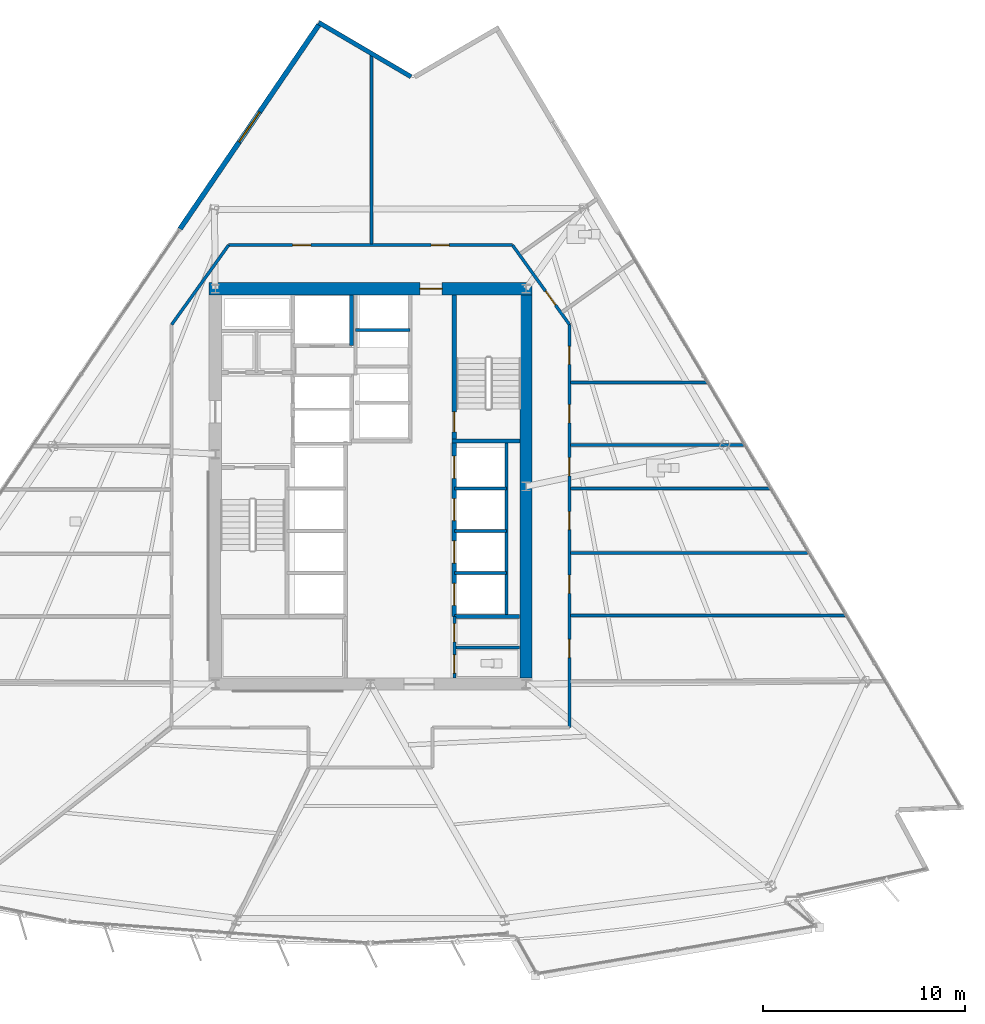
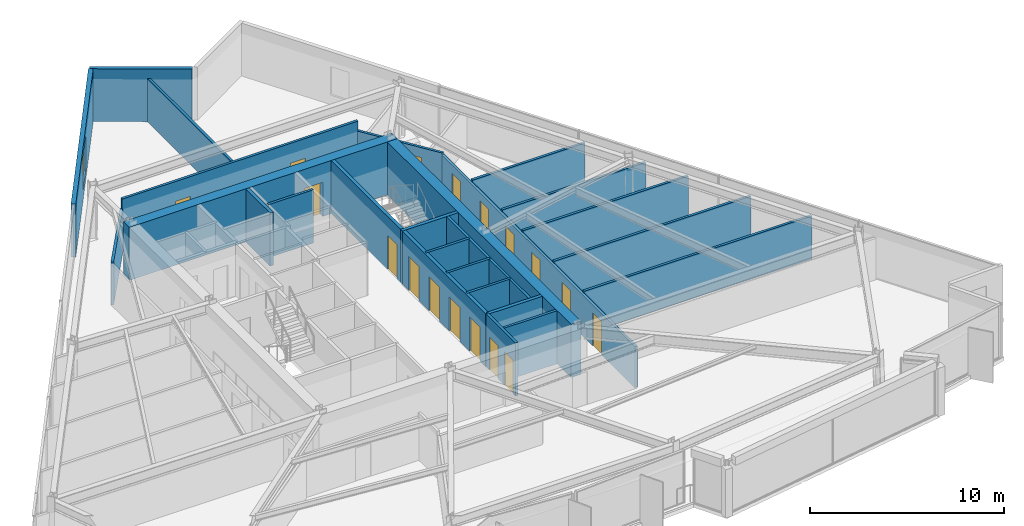
# One storey, part 9 of 16: 26 walls, 17 doors, 1 window, 18 openings.
"""IFC4 building model written with IfcOpenShell, lengths in metres."""

from ifc_helpers import new_model, si_unit, direction, frame, frame_2d, origin, place, context, subcontext, project, spatial, rectangle, extrude, material, layer, layer_set, type_object, element, fill, save


model = new_model("IFC4")

# Units and contexts
model_context = context("Model", 3, precision=1e-05, world=origin(), true_north=direction((0.0, 1.0)))
body_context = subcontext(model_context, "Body", "Model", "MODEL_VIEW")
ifc_project = project(units=[si_unit("LENGTHUNIT", "METRE"), si_unit("AREAUNIT", "SQUARE_METRE"), si_unit("VOLUMEUNIT", "CUBIC_METRE"), si_unit("PLANEANGLEUNIT", "RADIAN"), si_unit("MASSUNIT", "GRAM", prefix="KILO")], contexts=[model_context])

# Site, building, storey
site_placement = place(None, origin())
site = spatial("IfcSite", under=ifc_project, at=site_placement, CompositionType="ELEMENT")
building_placement = place(site_placement, origin())
building = spatial("IfcBuilding", under=site, at=building_placement, Name="Savorim Split Tower", CompositionType="ELEMENT")
storey_placement = place(building_placement, frame((0.0, 0.0, 51.60009765625)))
storey = spatial("IfcBuildingStorey", under=building, at=storey_placement, Name="L13", CompositionType="ELEMENT", Elevation=51.60009765625)

# Wall, opening, door
ifc_material_1 = material(Name="Concrete C60/75", Category="concrete")
ifc_layer_1 = layer(ifc_material_1, 0.60009765625)
ifc_layer_set_1 = layer_set([ifc_layer_1], Name="WAL-COR-SH600")
wall_type_1 = type_object("IfcWallType", Name="WAL-COR-SH600", PredefinedType="SHEAR", material=ifc_layer_set_1)
wall_1_placement = place(storey_placement, frame((8.0, 10.199951171875, 0.0), z_axis=(0.0, 0.0, 1.0), x_axis=(-1.0, 0.0, 0.0)))
wall_1 = element("IfcWall", 1, at=wall_1_placement, inside=storey, type_object=wall_type_1, Name="L13 Offset Core North Shear Wall", PredefinedType="SHEAR", context=body_context, shape_type="SweptSolid", body=[
    extrude(rectangle(XDim=16.0, YDim=0.60009765625, at=frame_2d((8.0, 0.0))), origin(), (0.0, 0.0, 1.0), 3.349853515625),
])
opening_1_placement = place(wall_1_placement, frame((4.449951171875, 0.0, 0.0)))
opening_1 = element("IfcOpeningElement", 2, at=opening_1_placement, cuts=wall_1, Name="Opening DI-03", PredefinedType="OPENING", context=body_context, shape_type="SweptSolid", body=[
    extrude(rectangle(XDim=1.10009765625, YDim=2.14990234375, at=frame_2d((0.550048828125, 1.074951171875))), frame((0.0, 0.31005859375, 0.0), z_axis=(0.0, -1.0, 0.0), x_axis=(1.0, 0.0, 0.0)), (0.0, 0.0, 1.0), 0.6201171875),
])
ifc_material_2 = material(Name="Timber Fire Door Leaf", Category="wood")
door_type_1 = type_object("IfcDoorType", Name="DOR-FIR-1100", OperationType="NOTDEFINED", PredefinedType="DOOR", material=ifc_material_2)
door_1_placement = place(opening_1_placement, origin())
door_1 = element("IfcDoor", 3, at=door_1_placement, inside=storey, type_object=door_type_1, Name="DOR-L13-COR-NLOB - L13 North Corridor Lobby Fire Door", OperationType="SINGLE_SWING_RIGHT", OverallHeight=2.14990234375, OverallWidth=1.10009765625, PredefinedType="DOOR", context=body_context, shape_type="SweptSolid", body=[
    extrude(rectangle(XDim=1.10009765625, YDim=2.14990234375, at=frame_2d((0.550048828125, 1.074951171875))), frame((0.0, 0.02490234375, 0.0), z_axis=(0.0, -1.0, 0.0), x_axis=(1.0, 0.0, 0.0)), (0.0, 0.0, 1.0), 0.050048828125),
])
fill(opening_1, door_1)

# Walls
wall_2_placement = place(storey_placement, frame((7.699951171875, 9.89990234375, 0.0), z_axis=(0.0, 0.0, 1.0), x_axis=(0.0, -1.0, 0.0)))
element("IfcWall", 4, at=wall_2_placement, inside=storey, type_object=wall_type_1, Name="L13 Offset Core East Shear Wall", PredefinedType="SHEAR", context=body_context, shape_type="SweptSolid", body=[
    extrude(rectangle(XDim=19.0, YDim=0.60009765625, at=frame_2d((9.5, 0.0))), origin(), (0.0, 0.0, 1.0), 3.349853515625),
])
ifc_material_3 = material(Name="Precast concrete C40/50", Category="concrete")
ifc_layer_2 = layer(ifc_material_3, 0.219970703125)
ifc_layer_set_2 = layer_set([ifc_layer_2], Name="WAL-EXT-CRN220")
wall_type_2 = type_object("IfcWallType", Name="WAL-EXT-CRN220", PredefinedType="SOLIDWALL", material=ifc_layer_set_2)
wall_3_placement = place(storey_placement, frame((-2.572265625, 23.40283203125, 0.0), z_axis=(0.0, 0.0, 1.0), x_axis=(0.862137551275, -0.506674296449, 0.0)))
element("IfcWall", 5, at=wall_3_placement, inside=storey, type_object=wall_type_2, Name="L13 Notched Corner Facade Wall N", PredefinedType="SOLIDWALL", context=body_context, shape_type="SweptSolid", body=[
    extrude(rectangle(XDim=5.30712890625, YDim=0.219970703125, at=frame_2d((2.653564453125, 0.0))), origin(), (0.0, 0.0, 1.0), 3.349853515625),
])

# Wall, opening, window
ifc_layer_3 = layer(ifc_material_3, 0.25)
ifc_layer_set_3 = layer_set([ifc_layer_3], Name="WAL-EXT-SPN250")
wall_type_3 = type_object("IfcWallType", Name="WAL-EXT-SPN250", PredefinedType="SOLIDWALL", material=ifc_layer_set_3)
wall_4_placement = place(storey_placement, frame((-9.45068359375, 13.163330078125, 0.0), z_axis=(0.0, 0.0, 1.0), x_axis=(0.562478152622, 0.826812147844, 0.0)))
wall_4 = element("IfcWall", 6, at=wall_4_placement, inside=storey, type_object=wall_type_3, Name="L13 West Operable Window Pier", PredefinedType="SOLIDWALL", context=body_context, shape_type="SweptSolid", body=[
    extrude(rectangle(XDim=12.232177734375, YDim=0.25, at=frame_2d((6.1162109375, 0.0))), origin(), (0.0, 0.0, 1.0), 3.349853515625),
])
opening_2_placement = place(wall_4_placement, frame((5.216064453125, 0.0, 0.6201171875)))
opening_2 = element("IfcOpeningElement", 7, at=opening_2_placement, cuts=wall_4, Name="Opening WN-04", PredefinedType="OPENING", context=body_context, shape_type="SweptSolid", body=[
    extrude(rectangle(XDim=1.800048828125, YDim=2.10009765625, at=frame_2d((0.89990234375, 1.050048828125))), frame((0.0, 0.135009765625, 0.0), z_axis=(0.0, -1.0, 0.0), x_axis=(1.0, 0.0, 0.0)), (0.0, 0.0, 1.0), 0.27001953125),
])
ifc_material_4 = material(Name="Low-E Operable Double Glazing", Category="glass")
window_type = type_object("IfcWindowType", Name="WIN-TWR-1800x2100", PartitioningType="DOUBLE_PANEL_VERTICAL", PredefinedType="WINDOW", material=ifc_material_4)
window_placement = place(opening_2_placement, origin())
window = element("IfcWindow", 8, at=window_placement, inside=storey, type_object=window_type, Name="L13 West Operable Ventilation Window", OverallHeight=2.10009765625, OverallWidth=1.800048828125, PartitioningType="SINGLE_PANEL", PredefinedType="WINDOW", context=body_context, shape_type="SweptSolid", body=[
    extrude(rectangle(XDim=1.800048828125, YDim=2.10009765625, at=frame_2d((0.89990234375, 1.050048828125))), frame((0.0, 0.030029296875, 0.0), z_axis=(0.0, -1.0, 0.0), x_axis=(1.0, 0.0, 0.0)), (0.0, 0.0, 1.0), 0.06005859375),
])
fill(opening_2, window)

# Wall, opening, door
ifc_material_5 = material(Name="Concrete C50/60", Category="concrete")
ifc_layer_4 = layer(ifc_material_5, 0.199951171875)
ifc_layer_set_4 = layer_set([ifc_layer_4], Name="WAL-INT-RC200")
wall_type_4 = type_object("IfcWallType", Name="WAL-INT-RC200", PredefinedType="SOLIDWALL", material=ifc_layer_set_4)
wall_5_placement = place(storey_placement, frame((4.14990234375, 2.75, 0.0), z_axis=(0.0, 0.0, 1.0), x_axis=(0.0, 1.0, 0.0)))
wall_5 = element("IfcWall", 9, at=wall_5_placement, inside=storey, type_object=wall_type_4, Name="L13 Structural Shaft Wall W-L13-CR07", PredefinedType="SOLIDWALL", context=body_context, shape_type="SweptSolid", body=[
    extrude(rectangle(XDim=7.14990234375, YDim=0.199951171875, at=frame_2d((3.574951171875, 0.0))), origin(), (0.0, 0.0, 1.0), 3.349853515625),
])
opening_3_placement = place(wall_5_placement, frame((0.35009765625, 0.0, 0.0)))
opening_3 = element("IfcOpeningElement", 10, at=opening_3_placement, cuts=wall_5, Name="Opening DI-04", PredefinedType="OPENING", context=body_context, shape_type="SweptSolid", body=[
    extrude(rectangle(XDim=1.0, YDim=2.14990234375, at=frame_2d((0.5, 1.074951171875))), frame((0.0, 0.10986328125, 0.0), z_axis=(0.0, -1.0, 0.0), x_axis=(1.0, 0.0, 0.0)), (0.0, 0.0, 1.0), 0.219970703125),
])
door_type_2 = type_object("IfcDoorType", Name="DOR-FIR-1000", OperationType="NOTDEFINED", PredefinedType="DOOR", material=ifc_material_2)
door_2_placement = place(opening_3_placement, origin())
door_2 = element("IfcDoor", 11, at=door_2_placement, inside=storey, type_object=door_type_2, Name="DR-L13-ST2 - L13 Stair ST-2 Enclosure Door", OperationType="SINGLE_SWING_RIGHT", OverallHeight=2.14990234375, OverallWidth=1.0, PredefinedType="DOOR", context=body_context, shape_type="SweptSolid", body=[
    extrude(rectangle(XDim=1.0, YDim=2.14990234375, at=frame_2d((0.5, 1.074951171875))), frame((0.0, 0.02490234375, 0.0), z_axis=(0.0, -1.0, 0.0), x_axis=(1.0, 0.0, 0.0)), (0.0, 0.0, 1.0), 0.050048828125),
])
fill(opening_3, door_2)

# Walls
wall_6_placement = place(storey_placement, frame((4.050048828125, 2.64990234375, 0.0), z_axis=(0.0, 0.0, 1.0), x_axis=(1.0, 0.0, 0.0)))
element("IfcWall", 12, at=wall_6_placement, inside=storey, type_object=wall_type_4, Name="L13 Structural Shaft Wall W-L13-CR08", PredefinedType="SOLIDWALL", context=body_context, shape_type="SweptSolid", body=[
    extrude(rectangle(XDim=3.349853515625, YDim=0.199951171875, at=frame_2d((1.6748046875, 0.0))), origin(), (0.0, 0.0, 1.0), 3.349853515625),
])
wall_7_placement = place(storey_placement, frame((-0.949951171875, 7.3798828125, 0.0), z_axis=(0.0, 0.0, 1.0), x_axis=(0.0, 1.0, 0.0)))
element("IfcWall", 13, at=wall_7_placement, inside=storey, type_object=wall_type_4, Name="L13 Partition W-L13-SVLE", PredefinedType="SOLIDWALL", context=body_context, shape_type="SweptSolid", body=[
    extrude(rectangle(XDim=2.51513671875, YDim=0.199951171875, at=frame_2d((1.257568359375, 0.0))), origin(), (0.0, 0.0, 1.0), 3.349853515625),
])

# Wall, openings, doors
wall_8_placement = place(storey_placement, frame((4.14990234375, -6.050048828125, 0.0), z_axis=(0.0, 0.0, 1.0), x_axis=(0.0, 1.0, 0.0)))
wall_8 = element("IfcWall", 14, at=wall_8_placement, inside=storey, type_object=wall_type_4, Name="L13 Partition W-L13-B1FRONT", PredefinedType="SOLIDWALL", context=body_context, shape_type="SweptSolid", body=[
    extrude(rectangle(XDim=8.699951171875, YDim=0.199951171875, at=frame_2d((4.35009765625, 0.0))), origin(), (0.0, 0.0, 1.0), 3.349853515625),
])
opening_4_placement = place(wall_8_placement, frame((0.550048828125, 0.0, 0.0)))
opening_4 = element("IfcOpeningElement", 15, at=opening_4_placement, cuts=wall_8, Name="Opening LD-01", PredefinedType="OPENING", context=body_context, shape_type="SweptSolid", body=[
    extrude(rectangle(XDim=1.10009765625, YDim=2.14990234375, at=frame_2d((0.550048828125, 1.074951171875))), frame((0.0, 0.10986328125, 0.0), z_axis=(0.0, -1.0, 0.0), x_axis=(1.0, 0.0, 0.0)), (0.0, 0.0, 1.0), 0.219970703125),
])
opening_5_placement = place(wall_8_placement, frame((2.64990234375, 0.0, 0.0)))
opening_5 = element("IfcOpeningElement", 16, at=opening_5_placement, cuts=wall_8, Name="Opening LD-01", PredefinedType="OPENING", context=body_context, shape_type="SweptSolid", body=[
    extrude(rectangle(XDim=1.10009765625, YDim=2.14990234375, at=frame_2d((0.550048828125, 1.074951171875))), frame((0.0, 0.10986328125, 0.0), z_axis=(0.0, -1.0, 0.0), x_axis=(1.0, 0.0, 0.0)), (0.0, 0.0, 1.0), 0.219970703125),
])
opening_6_placement = place(wall_8_placement, frame((4.75, 0.0, 0.0)))
opening_6 = element("IfcOpeningElement", 17, at=opening_6_placement, cuts=wall_8, Name="Opening LD-01", PredefinedType="OPENING", context=body_context, shape_type="SweptSolid", body=[
    extrude(rectangle(XDim=1.10009765625, YDim=2.14990234375, at=frame_2d((0.550048828125, 1.074951171875))), frame((0.0, 0.10986328125, 0.0), z_axis=(0.0, -1.0, 0.0), x_axis=(1.0, 0.0, 0.0)), (0.0, 0.0, 1.0), 0.219970703125),
])
opening_7_placement = place(wall_8_placement, frame((6.85009765625, 0.0, 0.0)))
opening_7 = element("IfcOpeningElement", 18, at=opening_7_placement, cuts=wall_8, Name="Opening LD-01", PredefinedType="OPENING", context=body_context, shape_type="SweptSolid", body=[
    extrude(rectangle(XDim=1.10009765625, YDim=2.14990234375, at=frame_2d((0.550048828125, 1.074951171875))), frame((0.0, 0.10986328125, 0.0), z_axis=(0.0, -1.0, 0.0), x_axis=(1.0, 0.0, 0.0)), (0.0, 0.0, 1.0), 0.219970703125),
])
ifc_material_6 = material(Name="Charcoal Anodised Aluminium", Category="aluminium")
door_type_3 = type_object("IfcDoorType", Name="DOR-SLD-LD1100", OperationType="NOTDEFINED", PredefinedType="DOOR", material=ifc_material_6)
door_3_placement = place(opening_4_placement, origin())
door_3 = element("IfcDoor", 19, at=door_3_placement, inside=storey, type_object=door_type_3, Name="DR-L13-LD-PLL1 - L13 Lift PL-L1 Sliding Landing Door", OperationType="DOUBLE_DOOR_SLIDING", OverallHeight=2.14990234375, OverallWidth=1.10009765625, PredefinedType="DOOR", context=body_context, shape_type="SweptSolid", body=[
    extrude(rectangle(XDim=1.10009765625, YDim=2.14990234375, at=frame_2d((0.550048828125, 1.074951171875))), frame((0.0, 0.02490234375, 0.0), z_axis=(0.0, -1.0, 0.0), x_axis=(1.0, 0.0, 0.0)), (0.0, 0.0, 1.0), 0.050048828125),
])
fill(opening_4, door_3)
door_4_placement = place(opening_5_placement, origin())
door_4 = element("IfcDoor", 20, at=door_4_placement, inside=storey, type_object=door_type_3, Name="DR-L13-LD-PLL2 - L13 Lift PL-L2 Sliding Landing Door", OperationType="DOUBLE_DOOR_SLIDING", OverallHeight=2.14990234375, OverallWidth=1.10009765625, PredefinedType="DOOR", context=body_context, shape_type="SweptSolid", body=[
    extrude(rectangle(XDim=1.10009765625, YDim=2.14990234375, at=frame_2d((0.550048828125, 1.074951171875))), frame((0.0, 0.02490234375, 0.0), z_axis=(0.0, -1.0, 0.0), x_axis=(1.0, 0.0, 0.0)), (0.0, 0.0, 1.0), 0.050048828125),
])
fill(opening_5, door_4)
door_5_placement = place(opening_6_placement, origin())
door_5 = element("IfcDoor", 21, at=door_5_placement, inside=storey, type_object=door_type_3, Name="DR-L13-LD-PLL3 - L13 Lift PL-L3 Sliding Landing Door", OperationType="DOUBLE_DOOR_SLIDING", OverallHeight=2.14990234375, OverallWidth=1.10009765625, PredefinedType="DOOR", context=body_context, shape_type="SweptSolid", body=[
    extrude(rectangle(XDim=1.10009765625, YDim=2.14990234375, at=frame_2d((0.550048828125, 1.074951171875))), frame((0.0, 0.02490234375, 0.0), z_axis=(0.0, -1.0, 0.0), x_axis=(1.0, 0.0, 0.0)), (0.0, 0.0, 1.0), 0.050048828125),
])
fill(opening_6, door_5)
door_6_placement = place(opening_7_placement, origin())
door_6 = element("IfcDoor", 22, at=door_6_placement, inside=storey, type_object=door_type_3, Name="DR-L13-LD-PLL4 - L13 Lift PL-L4 Sliding Landing Door", OperationType="DOUBLE_DOOR_SLIDING", OverallHeight=2.14990234375, OverallWidth=1.10009765625, PredefinedType="DOOR", context=body_context, shape_type="SweptSolid", body=[
    extrude(rectangle(XDim=1.10009765625, YDim=2.14990234375, at=frame_2d((0.550048828125, 1.074951171875))), frame((0.0, 0.02490234375, 0.0), z_axis=(0.0, -1.0, 0.0), x_axis=(1.0, 0.0, 0.0)), (0.0, 0.0, 1.0), 0.050048828125),
])
fill(opening_7, door_6)

# Walls
wall_9_placement = place(storey_placement, frame((4.14990234375, -6.050048828125, 0.0), z_axis=(0.0, 0.0, 1.0), x_axis=(1.0, 0.0, 0.0)))
element("IfcWall", 23, at=wall_9_placement, inside=storey, type_object=wall_type_4, Name="L13 Partition W-L13-KSEP-E", PredefinedType="SOLIDWALL", context=body_context, shape_type="SweptSolid", body=[
    extrude(rectangle(XDim=3.2451171875, YDim=0.199951171875, at=frame_2d((1.62255859375, 0.0))), origin(), (0.0, 0.0, 1.0), 3.349853515625),
])
ifc_material_7 = material(Name="Acoustic Gypsum Partition Board")
ifc_layer_5 = layer(ifc_material_7, 0.14990234375)
ifc_layer_set_5 = layer_set([ifc_layer_5], Name="WAL-PAR-150")
wall_type_5 = type_object("IfcWallType", Name="WAL-PAR-150", PredefinedType="PARTITIONING", material=ifc_layer_set_5)
wall_10_placement = place(storey_placement, frame((6.75, -6.050048828125, 0.0), z_axis=(0.0, 0.0, 1.0), x_axis=(0.0, 1.0, 0.0)))
element("IfcWall", 24, at=wall_10_placement, inside=storey, type_object=wall_type_5, Name="L13 Partition W-L13-B1BACK", PredefinedType="PARTITIONING", context=body_context, shape_type="SweptSolid", body=[
    extrude(rectangle(XDim=8.699951171875, YDim=0.14990234375, at=frame_2d((4.35009765625, 0.0))), origin(), (0.0, 0.0, 1.0), 3.349853515625),
])
for number, where, z_axis, x_axis, name in (
    (25, (4.14990234375, -3.89990234375, 0.0), (0.0, 0.0, 1.0), (1.0, 0.0, 0.0), "L13 Partition W-L13-B1DIV1"),
    (26, (4.14990234375, -1.800048828125, 0.0), (0.0, 0.0, 1.0), (1.0, 0.0, 0.0), "L13 Partition W-L13-B1DIV2"),
    (27, (4.14990234375, 0.300048828125, 0.0), (0.0, 0.0, 1.0), (1.0, 0.0, 0.0), "L13 Partition W-L13-B1DIV3"),
):
    element("IfcWall", number, at=place(storey_placement, frame(where, z_axis=z_axis, x_axis=x_axis)), inside=storey, type_object=wall_type_5, Name=name, PredefinedType="PARTITIONING", context=body_context, shape_type="SweptSolid", body=[
        extrude(rectangle(XDim=2.60009765625, YDim=0.14990234375, at=frame_2d((1.300048828125, 0.0))), origin(), (0.0, 0.0, 1.0), 3.349853515625),
    ])
wall_11_placement = place(storey_placement, frame((-0.75, 8.14990234375, 0.0), z_axis=(0.0, 0.0, 1.0), x_axis=(1.0, 0.0, 0.0)))
element("IfcWall", 28, at=wall_11_placement, inside=storey, type_object=wall_type_5, Name="L13 Partition W-L13-B3DIV3", PredefinedType="PARTITIONING", context=body_context, shape_type="SweptSolid", body=[
    extrude(rectangle(XDim=2.699951171875, YDim=0.14990234375, at=frame_2d((1.35009765625, 0.0))), origin(), (0.0, 0.0, 1.0), 3.349853515625),
])

# Wall, openings, doors
wall_12_placement = place(storey_placement, frame((4.14990234375, -9.094970703125, 0.0), z_axis=(0.0, 0.0, 1.0), x_axis=(0.0, 1.0, 0.0)))
wall_12 = element("IfcWall", 29, at=wall_12_placement, inside=storey, type_object=wall_type_5, Name="L13 Partition W-L13-KLOB-E", PredefinedType="PARTITIONING", context=body_context, shape_type="SweptSolid", body=[
    extrude(rectangle(XDim=3.044921875, YDim=0.14990234375, at=frame_2d((1.5224609375, 0.0))), origin(), (0.0, 0.0, 1.0), 3.349853515625),
])
opening_8_placement = place(wall_12_placement, frame((0.2451171875, 0.0, 0.0)))
opening_8 = element("IfcOpeningElement", 30, at=opening_8_placement, cuts=wall_12, Name="Opening DI-11", PredefinedType="OPENING", context=body_context, shape_type="SweptSolid", body=[
    extrude(rectangle(XDim=0.89990234375, YDim=2.10009765625, at=frame_2d((0.449951171875, 1.050048828125))), frame((0.0, 0.0849609375, 0.0), z_axis=(0.0, -1.0, 0.0), x_axis=(1.0, 0.0, 0.0)), (0.0, 0.0, 1.0), 0.169921875),
])
opening_9_placement = place(wall_12_placement, frame((1.794921875, 0.0, 0.0)))
opening_9 = element("IfcOpeningElement", 31, at=opening_9_placement, cuts=wall_12, Name="Opening DI-06", PredefinedType="OPENING", context=body_context, shape_type="SweptSolid", body=[
    extrude(rectangle(XDim=0.89990234375, YDim=2.10009765625, at=frame_2d((0.449951171875, 1.050048828125))), frame((0.0, 0.0849609375, 0.0), z_axis=(0.0, -1.0, 0.0), x_axis=(1.0, 0.0, 0.0)), (0.0, 0.0, 1.0), 0.169921875),
])
door_type_4 = type_object("IfcDoorType", Name="DOR-FIR-900", OperationType="NOTDEFINED", PredefinedType="DOOR", material=ifc_material_2)
door_7_placement = place(opening_9_placement, origin())
door_7 = element("IfcDoor", 32, at=door_7_placement, inside=storey, type_object=door_type_4, Name="DR-L13-K3LCK - L13 Cleaning Store Door", OperationType="SINGLE_SWING_LEFT", OverallHeight=2.10009765625, OverallWidth=0.89990234375, PredefinedType="DOOR", context=body_context, shape_type="SweptSolid", body=[
    extrude(rectangle(XDim=0.89990234375, YDim=2.10009765625, at=frame_2d((0.449951171875, 1.050048828125))), frame((0.0, 0.02490234375, 0.0), z_axis=(0.0, -1.0, 0.0), x_axis=(1.0, 0.0, 0.0)), (0.0, 0.0, 1.0), 0.050048828125),
])
fill(opening_9, door_7)
ifc_material_8 = material(Name="Oak Veneer Acoustic Door")
door_type_5 = type_object("IfcDoorType", Name="DOR-WC-900", OperationType="NOTDEFINED", PredefinedType="DOOR", material=ifc_material_8)
door_8_placement = place(opening_8_placement, origin())
door_8 = element("IfcDoor", 33, at=door_8_placement, inside=storey, type_object=door_type_5, Name="DR-L13-K3AWC - L13 Core Accessible WC Door", OperationType="SINGLE_SWING_RIGHT", OverallHeight=2.10009765625, OverallWidth=0.89990234375, PredefinedType="DOOR", context=body_context, shape_type="SweptSolid", body=[
    extrude(rectangle(XDim=0.89990234375, YDim=2.10009765625, at=frame_2d((0.449951171875, 1.050048828125))), frame((0.0, 0.02490234375, 0.0), z_axis=(0.0, -1.0, 0.0), x_axis=(1.0, 0.0, 0.0)), (0.0, 0.0, 1.0), 0.050048828125),
])
fill(opening_8, door_8)

# Walls
wall_13_placement = place(storey_placement, frame((4.14990234375, -7.580078125, 0.0), z_axis=(0.0, 0.0, 1.0), x_axis=(1.0, 0.0, 0.0)))
element("IfcWall", 34, at=wall_13_placement, inside=storey, type_object=wall_type_5, Name="L13 Partition W-L13-K3H", PredefinedType="PARTITIONING", context=body_context, shape_type="SweptSolid", body=[
    extrude(rectangle(XDim=3.2451171875, YDim=0.14990234375, at=frame_2d((1.62255859375, 0.0))), origin(), (0.0, 0.0, 1.0), 3.349853515625),
])
wall_14_placement = place(storey_placement, frame((-9.860107421875, 8.42578125, 0.0), z_axis=(0.0, 0.0, 1.0), x_axis=(0.582449511476, 0.812866881218, 0.0)))
element("IfcWall", 35, at=wall_14_placement, inside=storey, type_object=wall_type_5, Name="L13 Partition W-L13-COR-02", PredefinedType="PARTITIONING", context=body_context, shape_type="SweptSolid", body=[
    extrude(rectangle(XDim=4.840087890625, YDim=0.14990234375, at=frame_2d((2.419921875, 0.0))), origin(), (0.0, 0.0, 1.0), 2.724853515625),
])

# Wall, openings, doors
wall_15_placement = place(storey_placement, frame((-7.041015625, 12.360107421875, 0.0), z_axis=(0.0, 0.0, 1.0), x_axis=(1.0, 0.0, 0.0)))
wall_15 = element("IfcWall", 36, at=wall_15_placement, inside=storey, type_object=wall_type_5, Name="L13 Partition W-L13-COR-03", PredefinedType="PARTITIONING", context=body_context, shape_type="SweptSolid", body=[
    extrude(rectangle(XDim=14.08203125, YDim=0.14990234375, at=frame_2d((7.041015625, 0.0))), origin(), (0.0, 0.0, 1.0), 3.349853515625),
])
opening_10_placement = place(wall_15_placement, frame((10.0419921875, 0.0, 0.0)))
opening_10 = element("IfcOpeningElement", 37, at=opening_10_placement, cuts=wall_15, Name="Opening DI-06", PredefinedType="OPENING", context=body_context, shape_type="SweptSolid", body=[
    extrude(rectangle(XDim=0.89990234375, YDim=2.10009765625, at=frame_2d((0.449951171875, 1.050048828125))), frame((0.0, 0.0849609375, 0.0), z_axis=(0.0, -1.0, 0.0), x_axis=(1.0, 0.0, 0.0)), (0.0, 0.0, 1.0), 0.169921875),
])
opening_11_placement = place(wall_15_placement, frame((3.17919921875, 0.0, 0.0)))
opening_11 = element("IfcOpeningElement", 38, at=opening_11_placement, cuts=wall_15, Name="Opening DI-06", PredefinedType="OPENING", context=body_context, shape_type="SweptSolid", body=[
    extrude(rectangle(XDim=0.89990234375, YDim=2.10009765625, at=frame_2d((0.449951171875, 1.050048828125))), frame((0.0, 0.0849609375, 0.0), z_axis=(0.0, -1.0, 0.0), x_axis=(1.0, 0.0, 0.0)), (0.0, 0.0, 1.0), 0.169921875),
])
door_9_placement = place(opening_10_placement, origin())
door_9 = element("IfcDoor", 39, at=door_9_placement, inside=storey, type_object=door_type_4, Name="DR-L13-RM14 - L13 Co-Working Commons Entry Door", OperationType="SINGLE_SWING_LEFT", OverallHeight=2.10009765625, OverallWidth=0.89990234375, PredefinedType="DOOR", context=body_context, shape_type="SweptSolid", body=[
    extrude(rectangle(XDim=0.89990234375, YDim=2.10009765625, at=frame_2d((0.449951171875, 1.050048828125))), frame((0.0, 0.02490234375, 0.0), z_axis=(0.0, -1.0, 0.0), x_axis=(1.0, 0.0, 0.0)), (0.0, 0.0, 1.0), 0.050048828125),
])
fill(opening_10, door_9)
door_10_placement = place(opening_11_placement, origin())
door_10 = element("IfcDoor", 40, at=door_10_placement, inside=storey, type_object=door_type_4, Name="DR-L13-RM15 - L13 Co-Working Commons Entry Door", OperationType="SINGLE_SWING_RIGHT", OverallHeight=2.10009765625, OverallWidth=0.89990234375, PredefinedType="DOOR", context=body_context, shape_type="SweptSolid", body=[
    extrude(rectangle(XDim=0.89990234375, YDim=2.10009765625, at=frame_2d((0.449951171875, 1.050048828125))), frame((0.0, 0.02490234375, 0.0), z_axis=(0.0, -1.0, 0.0), x_axis=(1.0, 0.0, 0.0)), (0.0, 0.0, 1.0), 0.050048828125),
])
fill(opening_11, door_10)

# Wall, opening, door
wall_16_placement = place(storey_placement, frame((7.041015625, 12.360107421875, 0.0), z_axis=(0.0, 0.0, 1.0), x_axis=(0.582449511476, -0.812866881218, 0.0)))
wall_16 = element("IfcWall", 41, at=wall_16_placement, inside=storey, type_object=wall_type_5, Name="L13 Partition W-L13-COR-04", PredefinedType="PARTITIONING", context=body_context, shape_type="SweptSolid", body=[
    extrude(rectangle(XDim=4.840087890625, YDim=0.14990234375, at=frame_2d((2.419921875, 0.0))), origin(), (0.0, 0.0, 1.0), 2.724853515625),
])
opening_12_placement = place(wall_16_placement, frame((2.801025390625, 0.0, 0.0)))
opening_12 = element("IfcOpeningElement", 42, at=opening_12_placement, cuts=wall_16, Name="Opening DI-13", PredefinedType="OPENING", context=body_context, shape_type="SweptSolid", body=[
    extrude(rectangle(XDim=0.85009765625, YDim=2.10009765625, at=frame_2d((0.425048828125, 1.050048828125))), frame((0.0, 0.0849609375, 0.0), z_axis=(0.0, -1.0, 0.0), x_axis=(1.0, 0.0, 0.0)), (0.0, 0.0, 1.0), 0.169921875),
])
door_type_6 = type_object("IfcDoorType", Name="DOR-FIR-850", OperationType="NOTDEFINED", PredefinedType="DOOR", material=ifc_material_2)
door_11_placement = place(opening_12_placement, origin())
door_11 = element("IfcDoor", 43, at=door_11_placement, inside=storey, type_object=door_type_6, Name="DR-L13-RM13 - L13 Shared Bathroom Entry Door", OperationType="SINGLE_SWING_RIGHT", OverallHeight=2.10009765625, OverallWidth=0.85009765625, PredefinedType="DOOR", context=body_context, shape_type="SweptSolid", body=[
    extrude(rectangle(XDim=0.85009765625, YDim=2.10009765625, at=frame_2d((0.425048828125, 1.050048828125))), frame((0.0, 0.02490234375, 0.0), z_axis=(0.0, -1.0, 0.0), x_axis=(1.0, 0.0, 0.0)), (0.0, 0.0, 1.0), 0.050048828125),
])
fill(opening_12, door_11)

# Wall, openings, doors
wall_17_placement = place(storey_placement, frame((9.860107421875, 8.42578125, 0.0), z_axis=(0.0, 0.0, 1.0), x_axis=(0.0, -1.0, 0.0)))
wall_17 = element("IfcWall", 44, at=wall_17_placement, inside=storey, type_object=wall_type_5, Name="L13 Partition W-L13-COR-05", PredefinedType="PARTITIONING", context=body_context, shape_type="SweptSolid", body=[
    extrude(rectangle(XDim=19.98583984375, YDim=0.14990234375, at=frame_2d((9.992919921875, 0.0))), origin(), (0.0, 0.0, 1.0), 2.60888671875),
])
opening_13_placement = place(wall_17_placement, frame((15.6083984375, 0.0, 0.0)))
opening_13 = element("IfcOpeningElement", 45, at=opening_13_placement, cuts=wall_17, Name="Opening DI-06", PredefinedType="OPENING", context=body_context, shape_type="SweptSolid", body=[
    extrude(rectangle(XDim=0.89990234375, YDim=2.10009765625, at=frame_2d((0.449951171875, 1.050048828125))), frame((0.0, 0.0849609375, 0.0), z_axis=(0.0, -1.0, 0.0), x_axis=(1.0, 0.0, 0.0)), (0.0, 0.0, 1.0), 0.169921875),
])
opening_14_placement = place(wall_17_placement, frame((12.422119140625, 0.0, 0.0)))
opening_14 = element("IfcOpeningElement", 46, at=opening_14_placement, cuts=wall_17, Name="Opening DI-06", PredefinedType="OPENING", context=body_context, shape_type="SweptSolid", body=[
    extrude(rectangle(XDim=0.89990234375, YDim=2.10009765625, at=frame_2d((0.449951171875, 1.050048828125))), frame((0.0, 0.0849609375, 0.0), z_axis=(0.0, -1.0, 0.0), x_axis=(1.0, 0.0, 0.0)), (0.0, 0.0, 1.0), 0.169921875),
])
opening_15_placement = place(wall_17_placement, frame((9.271240234375, 0.0, 0.0)))
opening_15 = element("IfcOpeningElement", 47, at=opening_15_placement, cuts=wall_17, Name="Opening DI-06", PredefinedType="OPENING", context=body_context, shape_type="SweptSolid", body=[
    extrude(rectangle(XDim=0.89990234375, YDim=2.10009765625, at=frame_2d((0.449951171875, 1.050048828125))), frame((0.0, 0.0849609375, 0.0), z_axis=(0.0, -1.0, 0.0), x_axis=(1.0, 0.0, 0.0)), (0.0, 0.0, 1.0), 0.169921875),
])
opening_16_placement = place(wall_17_placement, frame((6.5966796875, 0.0, 0.0)))
opening_16 = element("IfcOpeningElement", 48, at=opening_16_placement, cuts=wall_17, Name="Opening DI-11", PredefinedType="OPENING", context=body_context, shape_type="SweptSolid", body=[
    extrude(rectangle(XDim=0.89990234375, YDim=2.10009765625, at=frame_2d((0.449951171875, 1.050048828125))), frame((0.0, 0.0849609375, 0.0), z_axis=(0.0, -1.0, 0.0), x_axis=(1.0, 0.0, 0.0)), (0.0, 0.0, 1.0), 0.169921875),
])
opening_17_placement = place(wall_17_placement, frame((3.971435546875, 0.0, 0.0)))
opening_17 = element("IfcOpeningElement", 49, at=opening_17_placement, cuts=wall_17, Name="Opening DI-06", PredefinedType="OPENING", context=body_context, shape_type="SweptSolid", body=[
    extrude(rectangle(XDim=0.89990234375, YDim=2.10009765625, at=frame_2d((0.449951171875, 1.050048828125))), frame((0.0, 0.0849609375, 0.0), z_axis=(0.0, -1.0, 0.0), x_axis=(1.0, 0.0, 0.0)), (0.0, 0.0, 1.0), 0.169921875),
])
opening_18_placement = place(wall_17_placement, frame((1.07763671875, 0.0, 0.0)))
opening_18 = element("IfcOpeningElement", 50, at=opening_18_placement, cuts=wall_17, Name="Opening DI-06", PredefinedType="OPENING", context=body_context, shape_type="SweptSolid", body=[
    extrude(rectangle(XDim=0.89990234375, YDim=2.10009765625, at=frame_2d((0.449951171875, 1.050048828125))), frame((0.0, 0.0849609375, 0.0), z_axis=(0.0, -1.0, 0.0), x_axis=(1.0, 0.0, 0.0)), (0.0, 0.0, 1.0), 0.169921875),
])
door_12_placement = place(opening_13_placement, origin())
door_12 = element("IfcDoor", 51, at=door_12_placement, inside=storey, type_object=door_type_4, Name="DR-L13-RM07 - L13 Quiet Study Room Entry Door", OperationType="SINGLE_SWING_RIGHT", OverallHeight=2.10009765625, OverallWidth=0.89990234375, PredefinedType="DOOR", context=body_context, shape_type="SweptSolid", body=[
    extrude(rectangle(XDim=0.89990234375, YDim=2.10009765625, at=frame_2d((0.449951171875, 1.050048828125))), frame((0.0, 0.02490234375, 0.0), z_axis=(0.0, -1.0, 0.0), x_axis=(1.0, 0.0, 0.0)), (0.0, 0.0, 1.0), 0.050048828125),
])
fill(opening_13, door_12)
door_13_placement = place(opening_14_placement, origin())
door_13 = element("IfcDoor", 52, at=door_13_placement, inside=storey, type_object=door_type_4, Name="DR-L13-RM08 - L13 Quiet Study Room Entry Door", OperationType="SINGLE_SWING_LEFT", OverallHeight=2.10009765625, OverallWidth=0.89990234375, PredefinedType="DOOR", context=body_context, shape_type="SweptSolid", body=[
    extrude(rectangle(XDim=0.89990234375, YDim=2.10009765625, at=frame_2d((0.449951171875, 1.050048828125))), frame((0.0, 0.02490234375, 0.0), z_axis=(0.0, -1.0, 0.0), x_axis=(1.0, 0.0, 0.0)), (0.0, 0.0, 1.0), 0.050048828125),
])
fill(opening_14, door_13)
door_14_placement = place(opening_15_placement, origin())
door_14 = element("IfcDoor", 53, at=door_14_placement, inside=storey, type_object=door_type_4, Name="DR-L13-RM09 - L13 Quiet Study Room Entry Door", OperationType="SINGLE_SWING_RIGHT", OverallHeight=2.10009765625, OverallWidth=0.89990234375, PredefinedType="DOOR", context=body_context, shape_type="SweptSolid", body=[
    extrude(rectangle(XDim=0.89990234375, YDim=2.10009765625, at=frame_2d((0.449951171875, 1.050048828125))), frame((0.0, 0.02490234375, 0.0), z_axis=(0.0, -1.0, 0.0), x_axis=(1.0, 0.0, 0.0)), (0.0, 0.0, 1.0), 0.050048828125),
])
fill(opening_15, door_14)
door_15_placement = place(opening_17_placement, origin())
door_15 = element("IfcDoor", 54, at=door_15_placement, inside=storey, type_object=door_type_4, Name="DR-L13-RM11 - L13 Maker Workshop Entry Door", OperationType="SINGLE_SWING_RIGHT", OverallHeight=2.10009765625, OverallWidth=0.89990234375, PredefinedType="DOOR", context=body_context, shape_type="SweptSolid", body=[
    extrude(rectangle(XDim=0.89990234375, YDim=2.10009765625, at=frame_2d((0.449951171875, 1.050048828125))), frame((0.0, 0.02490234375, 0.0), z_axis=(0.0, -1.0, 0.0), x_axis=(1.0, 0.0, 0.0)), (0.0, 0.0, 1.0), 0.050048828125),
])
fill(opening_17, door_15)
door_16_placement = place(opening_18_placement, origin())
door_16 = element("IfcDoor", 55, at=door_16_placement, inside=storey, type_object=door_type_4, Name="DR-L13-RM12 - L13 Quiet Study Room Entry Door", OperationType="SINGLE_SWING_LEFT", OverallHeight=2.10009765625, OverallWidth=0.89990234375, PredefinedType="DOOR", context=body_context, shape_type="SweptSolid", body=[
    extrude(rectangle(XDim=0.89990234375, YDim=2.10009765625, at=frame_2d((0.449951171875, 1.050048828125))), frame((0.0, 0.02490234375, 0.0), z_axis=(0.0, -1.0, 0.0), x_axis=(1.0, 0.0, 0.0)), (0.0, 0.0, 1.0), 0.050048828125),
])
fill(opening_18, door_16)
door_17_placement = place(opening_16_placement, origin())
door_17 = element("IfcDoor", 56, at=door_17_placement, inside=storey, type_object=door_type_5, Name="DR-L13-RM10 - L13 Shared Bathroom Entry Door", OperationType="SINGLE_SWING_LEFT", OverallHeight=2.10009765625, OverallWidth=0.89990234375, PredefinedType="DOOR", context=body_context, shape_type="SweptSolid", body=[
    extrude(rectangle(XDim=0.89990234375, YDim=2.10009765625, at=frame_2d((0.449951171875, 1.050048828125))), frame((0.0, 0.02490234375, 0.0), z_axis=(0.0, -1.0, 0.0), x_axis=(1.0, 0.0, 0.0)), (0.0, 0.0, 1.0), 0.050048828125),
])
fill(opening_16, door_17)

# Walls
wall_18_placement = place(storey_placement, frame((9.919921875, 2.460205078125, 0.0), z_axis=(0.0, 0.0, 1.0), x_axis=(1.0, 0.0, 0.0)))
element("IfcWall", 57, at=wall_18_placement, inside=storey, type_object=wall_type_5, Name="L13 Partition W-L13-PRAD06", PredefinedType="PARTITIONING", context=body_context, shape_type="SweptSolid", body=[
    extrude(rectangle(XDim=8.566650390625, YDim=0.14990234375, at=frame_2d((4.283203125, 0.0))), origin(), (0.0, 0.0, 1.0), 2.73486328125),
])
wall_19_placement = place(storey_placement, frame((9.919921875, -2.888671875, 0.0), z_axis=(0.0, 0.0, 1.0), x_axis=(1.0, 0.0, 0.0)))
element("IfcWall", 58, at=wall_19_placement, inside=storey, type_object=wall_type_5, Name="L13 Partition W-L13-SUB02", PredefinedType="PARTITIONING", context=body_context, shape_type="SweptSolid", body=[
    extrude(rectangle(XDim=11.747314453125, YDim=0.14990234375, at=frame_2d((5.87353515625, 0.0))), origin(), (0.0, 0.0, 1.0), 2.73486328125),
])
wall_20_placement = place(storey_placement, frame((9.919921875, -6.004150390625, 0.0), z_axis=(0.0, 0.0, 1.0), x_axis=(1.0, 0.0, 0.0)))
element("IfcWall", 59, at=wall_20_placement, inside=storey, type_object=wall_type_5, Name="L13 Partition W-L13-SUB06", PredefinedType="PARTITIONING", context=body_context, shape_type="SweptSolid", body=[
    extrude(rectangle(XDim=13.599853515625, YDim=0.14990234375, at=frame_2d((6.7998046875, 0.0))), origin(), (0.0, 0.0, 1.0), 2.73486328125),
])
wall_21_placement = place(storey_placement, frame((9.919921875, 0.297607421875, 0.0), z_axis=(0.0, 0.0, 1.0), x_axis=(1.0, 0.0, 0.0)))
element("IfcWall", 60, at=wall_21_placement, inside=storey, type_object=wall_type_5, Name="L13 Partition W-L13-SUB07", PredefinedType="PARTITIONING", context=body_context, shape_type="SweptSolid", body=[
    extrude(rectangle(XDim=9.8525390625, YDim=0.14990234375, at=frame_2d((4.92626953125, 0.0))), origin(), (0.0, 0.0, 1.0), 2.73486328125),
])
wall_22_placement = place(storey_placement, frame((9.919921875, 5.548583984375, 0.0), z_axis=(0.0, 0.0, 1.0), x_axis=(1.0, 0.0, 0.0)))
element("IfcWall", 61, at=wall_22_placement, inside=storey, type_object=wall_type_5, Name="L13 Partition W-L13-SUB08", PredefinedType="PARTITIONING", context=body_context, shape_type="SweptSolid", body=[
    extrude(rectangle(XDim=6.73046875, YDim=0.14990234375, at=frame_2d((3.365234375, 0.0))), origin(), (0.0, 0.0, 1.0), 2.73486328125),
])
wall_23_placement = place(storey_placement, frame((0.039306640625, 12.419921875, 0.0), z_axis=(0.0, 0.0, 1.0), x_axis=(0.0, 1.0, 0.0)))
element("IfcWall", 62, at=wall_23_placement, inside=storey, type_object=wall_type_5, Name="L13 Partition W-L13-SUB09", PredefinedType="PARTITIONING", context=body_context, shape_type="SweptSolid", body=[
    extrude(rectangle(XDim=9.39013671875, YDim=0.14990234375, at=frame_2d((4.695068359375, 0.0))), origin(), (0.0, 0.0, 1.0), 2.73486328125),
])

save(model, "model.ifc")
